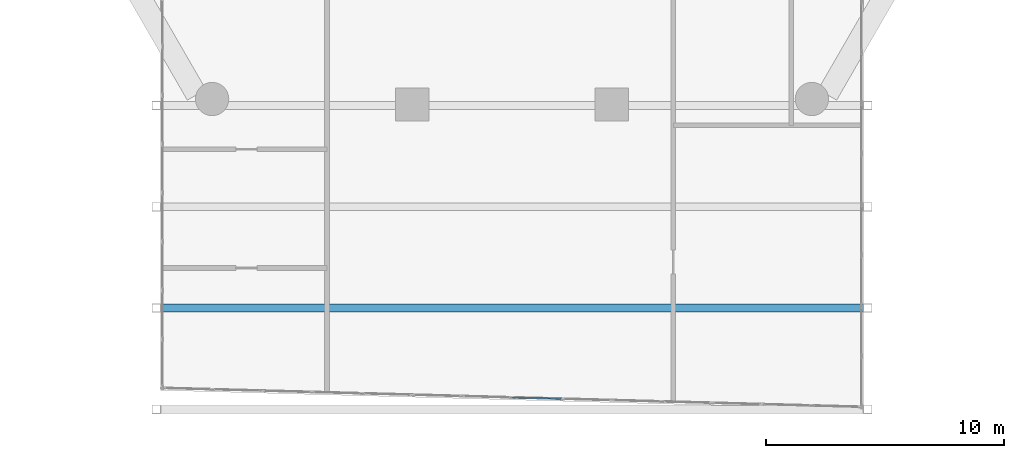
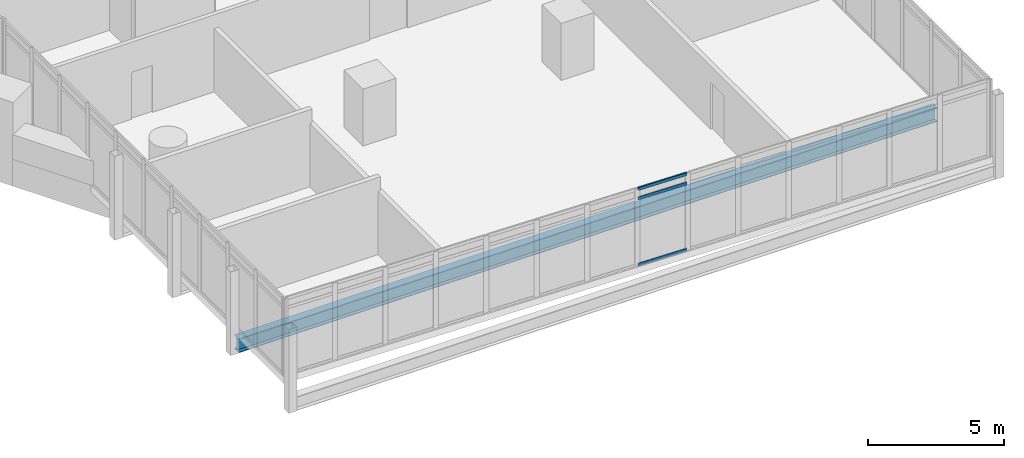
# One storey, part 6 of 28: 3 members, 1 beam, 1 element without a shape of its own.
"""IFC4 building model written with IfcOpenShell, lengths in metres."""

from ifc_helpers import new_model, si_unit, direction, frame, origin, origin_2d, place, context, subcontext, project, spatial, hollow_rectangle, i_section, extrude, material, material_profile, profile_set, type_object, element, aggregate, save


model = new_model("IFC4")

# Units and contexts
model_context = context("Model", 3, precision=1e-05, world=origin(), true_north=direction((0.0, 1.0)))
body_context = subcontext(model_context, "Body", "Model", "MODEL_VIEW")
ifc_project = project(units=[si_unit("LENGTHUNIT", "METRE"), si_unit("AREAUNIT", "SQUARE_METRE"), si_unit("VOLUMEUNIT", "CUBIC_METRE"), si_unit("PLANEANGLEUNIT", "RADIAN"), si_unit("MASSUNIT", "GRAM", prefix="KILO")], contexts=[model_context])

# Site, building, storey
site_placement = place(None, origin())
site = spatial("IfcSite", under=ifc_project, at=site_placement, CompositionType="ELEMENT")
building_placement = place(site_placement, origin())
building = spatial("IfcBuilding", under=site, at=building_placement, Name="Ostrander Bayou Hotel Tower", CompositionType="ELEMENT")
storey_placement = place(building_placement, frame((0.0, 0.0, 73.0)))
storey = spatial("IfcBuildingStorey", under=building, at=storey_placement, Name="L18", CompositionType="ELEMENT", Elevation=73.0)

# Curtain wall, members
ifc_material_1 = material(Name="Aluminium and clear glass", Category="aluminium")
curtain_wall_type = type_object("IfcCurtainWallType", Name="CW-BAR glazed wall", PredefinedType="NOTDEFINED", material=ifc_material_1)
curtain_wall_placement = place(storey_placement, origin())
curtain_wall = element("IfcCurtainWall", 1, at=curtain_wall_placement, inside=storey, type_object=curtain_wall_type, Name="CW-BAR L18:SB1S:T", PredefinedType="NOTDEFINED")
ifc_material_2 = material(Name="Aluminium", Category="aluminium")
ifc_material_profile_1 = material_profile(ifc_material_2, hollow_rectangle(XDim=0.06005859375, YDim=0.1298828125, WallThickness=0.00390625, at=origin_2d()))
ifc_profile_set_1 = profile_set([ifc_material_profile_1], Name="Aluminium")
member_type = type_object("IfcMemberType", Name="CW-BR transom 60 x 130 mm", PredefinedType="USERDEFINED", material=ifc_profile_set_1)
member_1_placement = place(storey_placement, frame((0.030029296875, -32.450927734375, 0.030029296875), z_axis=(0.999635057116, -0.027013933147, 0.0), x_axis=(0.027013933147, 0.999635057116, 0.0)))
member_1 = element("IfcMember", 2, at=member_1_placement, type_object=member_type, Name="CW-BAR transom 8.1", ObjectType="TRANSOM", PredefinedType="USERDEFINED", context=body_context, shape_type="SweptSolid", body=[
    extrude(hollow_rectangle(XDim=0.06005859375, YDim=0.1298828125, WallThickness=0.00390625, at=origin_2d()), origin(), (0.0, 0.0, 1.0), 2.04248046875),
])
member_2_placement = place(storey_placement, frame((0.030029296875, -32.450927734375, 3.0), z_axis=(0.999635057116, -0.027013933147, 0.0), x_axis=(0.027013933147, 0.999635057116, 0.0)))
member_2 = element("IfcMember", 3, at=member_2_placement, type_object=member_type, Name="CW-BAR transom 8.2", ObjectType="TRANSOM", PredefinedType="USERDEFINED", context=body_context, shape_type="SweptSolid", body=[
    extrude(hollow_rectangle(XDim=0.06005859375, YDim=0.1298828125, WallThickness=0.00390625, at=origin_2d()), origin(), (0.0, 0.0, 1.0), 2.04248046875),
])
member_3_placement = place(storey_placement, frame((0.030029296875, -32.450927734375, 3.419921875), z_axis=(0.999635057116, -0.027013933147, 0.0), x_axis=(0.027013933147, 0.999635057116, 0.0)))
member_3 = element("IfcMember", 4, at=member_3_placement, type_object=member_type, Name="CW-BAR transom 8.3", ObjectType="TRANSOM", PredefinedType="USERDEFINED", context=body_context, shape_type="SweptSolid", body=[
    extrude(hollow_rectangle(XDim=0.06005859375, YDim=0.1298828125, WallThickness=0.00390625, at=origin_2d()), origin(), (0.0, 0.0, 1.0), 2.04248046875),
])
aggregate(curtain_wall, [member_1, member_2, member_3])

# Beam
ifc_material_3 = material(Name="Steel ASTM A992", Category="steel")
ifc_material_profile_2 = material_profile(ifc_material_3, i_section(OverallWidth=0.32763671875, OverallDepth=0.621826171875, WebThickness=0.015380859375, FlangeThickness=0.0244140625, at=origin_2d()))
ifc_profile_set_2 = profile_set([ifc_material_profile_2], Name="Steel ASTM A992")
beam_type = type_object("IfcBeamType", Name="TF1 bar floor beam W24x131", PredefinedType="BEAM", material=ifc_profile_set_2)
beam_placement = place(storey_placement, frame((-14.787109375, -28.6875, -0.61083984375), z_axis=(1.0, 0.0, 0.0), x_axis=(0.0, 1.0, 0.0)))
element("IfcBeam", 5, at=beam_placement, inside=storey, type_object=beam_type, Name="TF1 SB1S L3-3", PredefinedType="BEAM", context=body_context, shape_type="SweptSolid", body=[
    extrude(i_section(OverallWidth=0.32763671875, OverallDepth=0.621826171875, WebThickness=0.015380859375, FlangeThickness=0.0244140625, at=origin_2d()), origin(), (0.0, 0.0, 1.0), 29.57421875),
])

save(model, "model.ifc")
